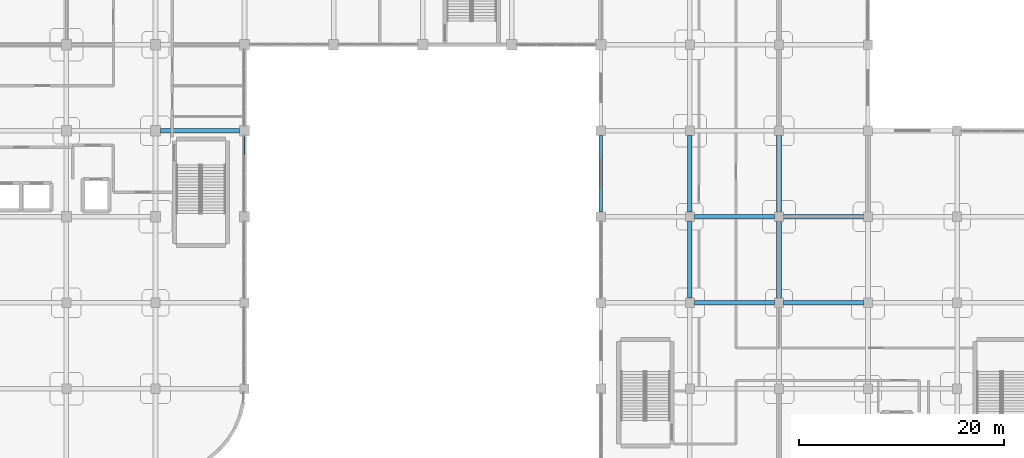
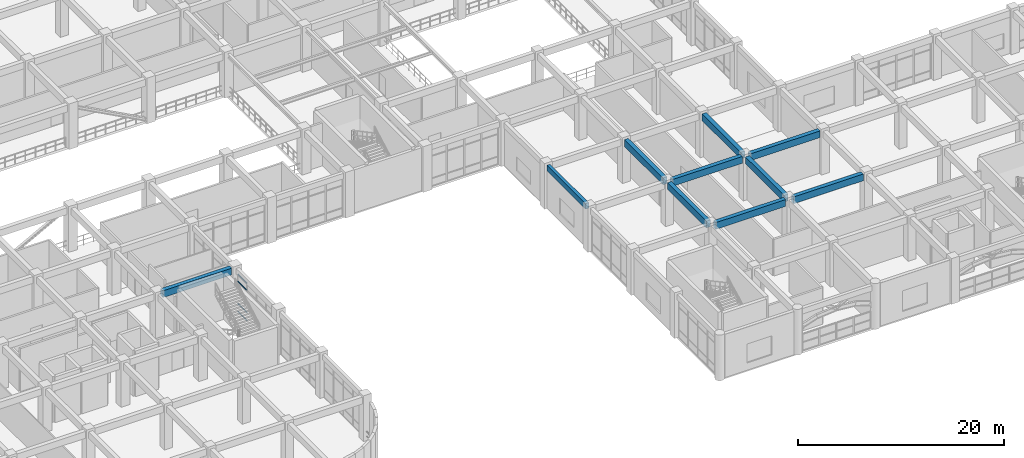
# One storey, part 31 of 114: 10 beams, 4 members, 1 element without a shape of its own.
"""IFC4 building model written with IfcOpenShell, lengths in metres."""

from ifc_helpers import new_model, si_unit, derived_unit, direction, frame, origin, origin_2d, place, context, subcontext, project, spatial, rectangle, hollow_rectangle, extrude, material, layer, layer_set, material_profile, profile_set, type_object, element, aggregate, save


model = new_model("IFC4")

# Units and contexts
model_context = context("Model", 3, precision=1e-05, world=origin(), true_north=direction((0.0, 1.0)))
body_context = subcontext(model_context, "Body", "Model", "MODEL_VIEW")
ifc_project = project(units=[si_unit("LENGTHUNIT", "METRE"), si_unit("AREAUNIT", "SQUARE_METRE"), si_unit("VOLUMEUNIT", "CUBIC_METRE"), si_unit("PLANEANGLEUNIT", "RADIAN"), si_unit("MASSUNIT", "GRAM", prefix="KILO"), derived_unit("THERMALTRANSMITTANCEUNIT", [(si_unit("MASSUNIT", "GRAM", prefix="KILO"), 1), (si_unit("TIMEUNIT", "SECOND"), -3), (si_unit("THERMODYNAMICTEMPERATUREUNIT", "KELVIN"), -1)])], contexts=[model_context])

# Site, building, storey
site_placement = place(None, origin())
site = spatial("IfcSite", under=ifc_project, at=site_placement, CompositionType="ELEMENT")
building_placement = place(site_placement, origin())
building = spatial("IfcBuilding", under=site, at=building_placement, Name="Qinzheling Arcade Emporium", CompositionType="ELEMENT")
storey_placement = place(building_placement, frame((0.0, 0.0, 6.0)))
storey = spatial("IfcBuildingStorey", under=building, at=storey_placement, Name="L02", CompositionType="ELEMENT", Elevation=6.0)

# Curtain wall, members
ifc_material_1 = material(Name="Anodised aluminium and solar-control double glazing", Category="aluminium")
ifc_layer = layer(ifc_material_1, 0.159912109375, Name="Anodised aluminium and solar-control double glazing", Category="aluminium")
ifc_layer_set = layer_set([ifc_layer], Name="Anodised aluminium and solar-control double glazing")
curtain_wall_type = type_object("IfcCurtainWallType", Name="Arcade Portal Glazed Curtain Wall", PredefinedType="NOTDEFINED", material=ifc_layer_set)
curtain_wall_placement = place(storey_placement, origin())
curtain_wall = element("IfcCurtainWall", 1, at=curtain_wall_placement, inside=storey, type_object=curtain_wall_type, Name="Curtain Wall CW-L02-066", PredefinedType="NOTDEFINED")
ifc_material_2 = material(Name="Anodised aluminium 6063-T6", Category="aluminium")
ifc_material_profile_1 = material_profile(ifc_material_2, hollow_rectangle(XDim=0.06005859375, YDim=0.1201171875, WallThickness=0.00390625, InnerFilletRadius=0.00390625, OuterFilletRadius=0.008056640625, at=origin_2d()), Name="RHS 120x60x4", Category="aluminium")
ifc_profile_set_1 = profile_set([ifc_material_profile_1], Name="Anodised aluminium 6063-T6")
member_type = type_object("IfcMemberType", Name="Curtain Wall Transom RHS120x60", PredefinedType="USERDEFINED", material=ifc_profile_set_1)
member_1_placement = place(storey_placement, frame((69.60009765625, 33.0380859375, 0.030029296875), z_axis=(0.0, -1.0, 0.0), x_axis=(1.0, 0.0, 0.0)))
member_1 = element("IfcMember", 2, at=member_1_placement, type_object=member_type, Name="CW05 transom 1.1", ObjectType="TRANSOM", PredefinedType="USERDEFINED", context=body_context, shape_type="SweptSolid", body=[
    extrude(hollow_rectangle(XDim=0.06005859375, YDim=0.1201171875, WallThickness=0.00390625, InnerFilletRadius=0.00390625, OuterFilletRadius=0.008056640625, at=origin_2d()), origin(), (0.0, 0.0, 1.0), 1.759033203125),
])
member_2_placement = place(storey_placement, frame((69.60009765625, 33.0380859375, 0.949951171875), z_axis=(0.0, -1.0, 0.0), x_axis=(1.0, 0.0, 0.0)))
member_2 = element("IfcMember", 3, at=member_2_placement, type_object=member_type, Name="CW05 transom 1.2", ObjectType="TRANSOM", PredefinedType="USERDEFINED", context=body_context, shape_type="SweptSolid", body=[
    extrude(hollow_rectangle(XDim=0.06005859375, YDim=0.1201171875, WallThickness=0.00390625, InnerFilletRadius=0.00390625, OuterFilletRadius=0.008056640625, at=origin_2d()), origin(), (0.0, 0.0, 1.0), 1.759033203125),
])
member_3_placement = place(storey_placement, frame((69.60009765625, 33.0380859375, 3.60498046875), z_axis=(0.0, -1.0, 0.0), x_axis=(1.0, 0.0, 0.0)))
member_3 = element("IfcMember", 4, at=member_3_placement, type_object=member_type, Name="CW05 transom 1.3", ObjectType="TRANSOM", PredefinedType="USERDEFINED", context=body_context, shape_type="SweptSolid", body=[
    extrude(hollow_rectangle(XDim=0.06005859375, YDim=0.1201171875, WallThickness=0.00390625, InnerFilletRadius=0.00390625, OuterFilletRadius=0.008056640625, at=origin_2d()), origin(), (0.0, 0.0, 1.0), 1.759033203125),
])
member_4_placement = place(storey_placement, frame((69.60009765625, 33.0380859375, 4.425048828125), z_axis=(0.0, -1.0, 0.0), x_axis=(1.0, 0.0, 0.0)))
member_4 = element("IfcMember", 5, at=member_4_placement, type_object=member_type, Name="CW05 transom 1.4", ObjectType="TRANSOM", PredefinedType="USERDEFINED", context=body_context, shape_type="SweptSolid", body=[
    extrude(hollow_rectangle(XDim=0.06005859375, YDim=0.1201171875, WallThickness=0.00390625, InnerFilletRadius=0.00390625, OuterFilletRadius=0.008056640625, at=origin_2d()), origin(), (0.0, 0.0, 1.0), 1.759033203125),
])
aggregate(curtain_wall, [member_1, member_2, member_3, member_4])

# Beams
ifc_material_3 = material(Name="Concrete C40", Category="concrete")
ifc_material_profile_2 = material_profile(ifc_material_3, rectangle(XDim=0.449951171875, YDim=0.800048828125, at=origin_2d()), Name="RC 450x800", Category="concrete")
ifc_profile_set_2 = profile_set([ifc_material_profile_2], Name="Concrete C40")
beam_type_1 = type_object("IfcBeamType", Name="RC Primary Frame Beam 450x800 C40", PredefinedType="BEAM", material=ifc_profile_set_2)
for number, where, z_axis, x_axis, name in (
    (6, (113.550048828125, 16.800048828125, 4.719970703125), (1.0, 0.0, 0.0), (0.0, 1.0, 0.0), "Beam BM-L02-X-C-14"),
    (7, (122.25, 16.800048828125, 4.705078125), (1.0, 0.0, 0.0), (0.0, 1.0, 0.0), "Beam BM-L02-X-C-15"),
    (8, (113.550048828125, 25.199951171875, 4.719970703125), (1.0, 0.0, 0.0), (0.0, 1.0, 0.0), "Beam BM-L02-X-D-14"),
    (9, (122.25, 25.199951171875, 4.705078125), (1.0, 0.0, 0.0), (0.0, 1.0, 0.0), "Beam BM-L02-X-D-15"),
):
    element("IfcBeam", number, at=place(storey_placement, frame(where, z_axis=z_axis, x_axis=x_axis)), inside=storey, type_object=beam_type_1, Name=name, PredefinedType="BEAM", context=body_context, shape_type="SweptSolid", body=[
        extrude(rectangle(XDim=0.449951171875, YDim=0.800048828125, at=origin_2d()), origin(), (0.0, 0.0, 1.0), 7.800048828125),
    ])
beam_1_placement = place(storey_placement, frame((61.39990234375, 33.60009765625, 4.719970703125), z_axis=(1.0, 0.0, 0.0), x_axis=(0.0, 1.0, 0.0)))
element("IfcBeam", 10, at=beam_1_placement, inside=storey, type_object=beam_type_1, Name="Beam BM-L02-X-E-8", PredefinedType="BEAM", context=body_context, shape_type="SweptSolid", body=[
    extrude(rectangle(XDim=0.449951171875, YDim=0.800048828125, at=origin_2d()), origin(), (0.0, 0.0, 1.0), 7.7001953125),
])
for number, where, z_axis, x_axis, name in (
    (11, (113.10009765625, 17.25, 4.719970703125), (0.0, 1.0, 0.0), (-1.0, 0.0, 0.0), "Beam BM-L02-Y-14-C"),
    (12, (113.10009765625, 25.64990234375, 4.719970703125), (0.0, 1.0, 0.0), (-1.0, 0.0, 0.0), "Beam BM-L02-Y-14-D"),
    (13, (121.800048828125, 17.25, 4.719970703125), (0.0, 1.0, 0.0), (-1.0, 0.0, 0.0), "Beam BM-L02-Y-15-C"),
    (14, (121.800048828125, 25.64990234375, 4.719970703125), (0.0, 1.0, 0.0), (-1.0, 0.0, 0.0), "Beam BM-L02-Y-15-D"),
):
    element("IfcBeam", number, at=place(storey_placement, frame(where, z_axis=z_axis, x_axis=x_axis)), inside=storey, type_object=beam_type_1, Name=name, PredefinedType="BEAM", context=body_context, shape_type="SweptSolid", body=[
        extrude(rectangle(XDim=0.449951171875, YDim=0.800048828125, at=origin_2d()), origin(), (0.0, 0.0, 1.0), 7.5),
    ])
ifc_material_profile_3 = material_profile(ifc_material_3, rectangle(XDim=0.35009765625, YDim=0.64990234375, at=origin_2d()), Name="RC 350x650", Category="concrete")
ifc_profile_set_3 = profile_set([ifc_material_profile_3], Name="Concrete C40")
beam_type_2 = type_object("IfcBeamType", Name="RC Spandrel Edge Beam 350x650 C40", PredefinedType="SPANDREL", material=ifc_profile_set_3)
beam_2_placement = place(storey_placement, frame((104.39990234375, 25.64990234375, 4.794921875), z_axis=(0.0, 1.0, 0.0), x_axis=(-1.0, 0.0, 0.0)))
element("IfcBeam", 15, at=beam_2_placement, inside=storey, type_object=beam_type_2, Name="Beam BM-L02-Y-13-D", PredefinedType="SPANDREL", context=body_context, shape_type="SweptSolid", body=[
    extrude(rectangle(XDim=0.35009765625, YDim=0.64990234375, at=origin_2d()), origin(), (0.0, 0.0, 1.0), 7.5),
])

save(model, "model.ifc")
